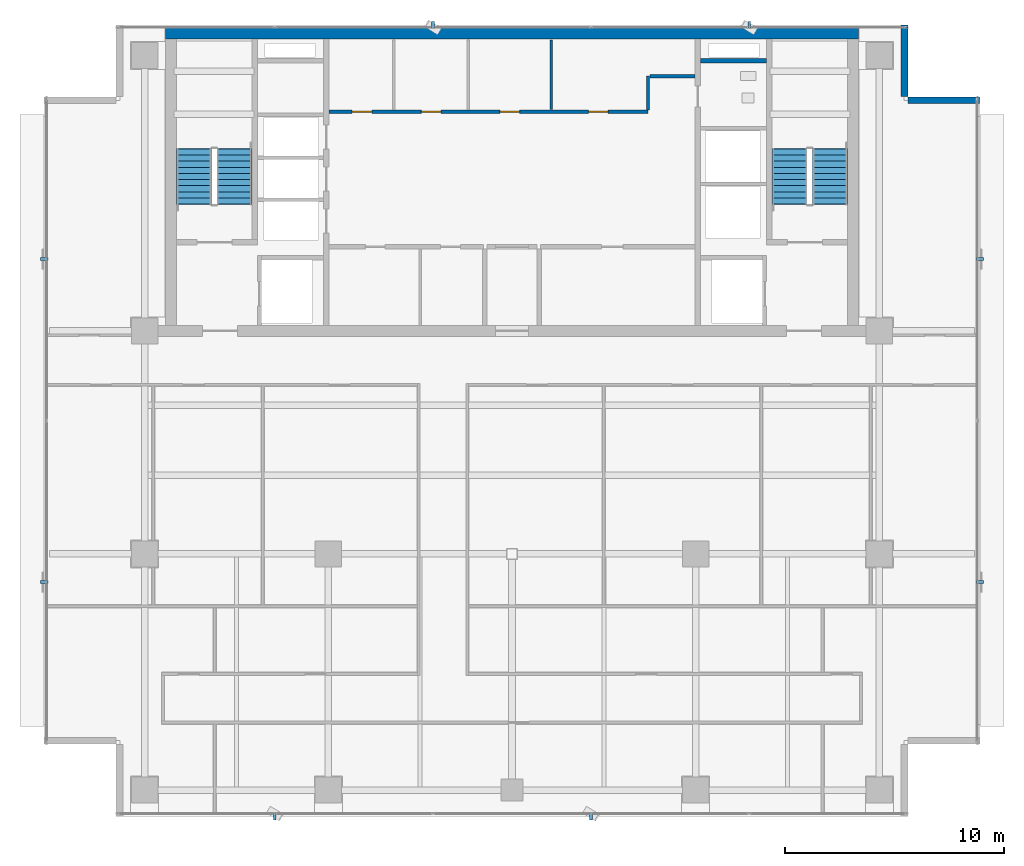
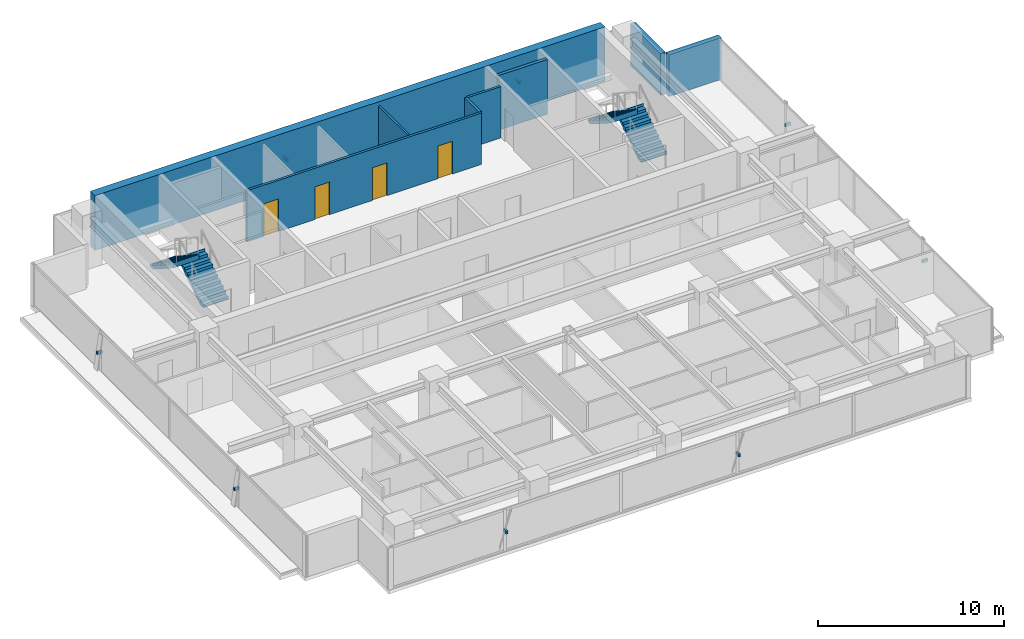
# One storey, part 18 of 22: 8 discrete accessories, 8 walls, 4 doors, 4 stair flights, 4 openings, 2 elements without a shape of their own.
"""IFC4 building model written with IfcOpenShell, lengths in metres."""

from ifc_helpers import new_model, si_unit, direction, frame, frame_2d, origin, origin_2d, place, context, subcontext, project, spatial, polyline, rectangle, outline, extrude, source, transform, mapped, material, layer, layer_set, material_profile, profile_set, type_object, element, fill, aggregate, save


model = new_model("IFC4")

# Units and contexts
model_context = context("Model", 3, precision=1e-05, world=origin(), true_north=direction((0.0, 1.0)))
body_context = subcontext(model_context, "Body", "Model", "MODEL_VIEW")
ifc_project = project(units=[si_unit("LENGTHUNIT", "METRE"), si_unit("AREAUNIT", "SQUARE_METRE"), si_unit("VOLUMEUNIT", "CUBIC_METRE"), si_unit("PLANEANGLEUNIT", "RADIAN"), si_unit("MASSUNIT", "GRAM", prefix="KILO")], contexts=[model_context])

# Site, building, storey
site_placement = place(None, origin())
site = spatial("IfcSite", under=ifc_project, at=site_placement, CompositionType="ELEMENT")
building_placement = place(site_placement, origin())
building = spatial("IfcBuilding", under=site, at=building_placement, Name="Sumidabori Civic Tower", CompositionType="ELEMENT")
storey_placement = place(building_placement, frame((0.0, 0.0, 272.0)))
storey = spatial("IfcBuildingStorey", under=building, at=storey_placement, Name="L71", CompositionType="ELEMENT", Elevation=272.0)

# Walls
ifc_material_1 = material(Name="Concrete C50/60", Category="concrete")
ifc_layer_1 = layer(ifc_material_1, 0.199951171875, Name="Concrete C50/60")
ifc_layer_set_1 = layer_set([ifc_layer_1], Name="Concrete C50/60")
wall_type_1 = type_object("IfcWallType", Name="WL-SHAFT-200", PredefinedType="SHEAR", material=ifc_layer_set_1)
shared_shape_1 = source(origin(), body_context, "Body", "SweptSolid", [
    extrude(rectangle(XDim=3.02001953125, YDim=0.199951171875, at=frame_2d((1.510009765625, 0.0))), origin(), (0.0, 0.0, 1.0), 3.60009765625),
])
wall_1_placement = place(storey_placement, frame((8.625, 22.550048828125, 0.0), z_axis=(0.0, 0.0, 1.0), x_axis=(1.0, 0.0, 0.0)))
element("IfcWall", 1, at=wall_1_placement, inside=storey, type_object=wall_type_1, Name="Core Shear Wall L71 RIS2-S", PredefinedType="SHEAR", context=body_context, shape_type="MappedRepresentation", body=[
    mapped(shared_shape_1, transform((0.0, 0.0, 0.0), x_axis=(1.0, 0.0, 0.0), y_axis=(0.0, 1.0, 0.0), z_axis=(0.0, 0.0, 1.0), scale=1.0)),
])
ifc_layer_2 = layer(ifc_material_1, 0.5, Name="Concrete C50/60")
ifc_layer_set_2 = layer_set([ifc_layer_2], Name="Concrete C50/60")
wall_type_2 = type_object("IfcWallType", Name="WL-CORE-500", PredefinedType="SHEAR", material=ifc_layer_set_2)
shared_shape_2 = source(origin(), body_context, "Body", "SweptSolid", [
    extrude(rectangle(XDim=31.7001953125, YDim=0.5, at=frame_2d((15.85009765625, 0.0))), origin(), (0.0, 0.0, 1.0), 3.60009765625),
])
wall_2_placement = place(storey_placement, frame((-15.85009765625, 23.800048828125, 0.0), z_axis=(0.0, 0.0, 1.0), x_axis=(1.0, 0.0, 0.0)))
element("IfcWall", 2, at=wall_2_placement, inside=storey, type_object=wall_type_2, Name="Core Shear Wall L71 N", PredefinedType="SHEAR", context=body_context, shape_type="MappedRepresentation", body=[
    mapped(shared_shape_2, transform((0.0, 0.0, 0.0), x_axis=(1.0, 0.0, 0.0), y_axis=(0.0, 1.0, 0.0), z_axis=(0.0, 0.0, 1.0), scale=1.0)),
])
ifc_material_2 = material(Name="Precast concrete C40/50", Category="concrete")
ifc_layer_3 = layer(ifc_material_2, 0.300048828125, Name="Precast concrete C40/50")
ifc_layer_set_3 = layer_set([ifc_layer_3], Name="Precast concrete C40/50")
wall_type_3 = type_object("IfcWallType", Name="WL-EXT-POD300", PredefinedType="STANDARD", material=ifc_layer_set_3)
shared_shape_3 = source(origin(), body_context, "Body", "SweptSolid", [
    extrude(rectangle(XDim=3.260009765625, YDim=0.300048828125, at=frame_2d((1.6298828125, 0.0))), origin(), (0.0, 0.0, 1.0), 2.75),
])
wall_3_placement = place(storey_placement, frame((17.949951171875, 20.919921875, 0.0), z_axis=(0.0, 0.0, 1.0), x_axis=(0.0, 1.0, 0.0)))
element("IfcWall", 3, at=wall_3_placement, inside=storey, type_object=wall_type_3, Name="Notched Corner Spandrel Band L71-06", PredefinedType="STANDARD", context=body_context, shape_type="MappedRepresentation", body=[
    mapped(shared_shape_3, transform((0.0, 0.0, 0.0), x_axis=(1.0, 0.0, 0.0), y_axis=(0.0, 1.0, 0.0), z_axis=(0.0, 0.0, 1.0), scale=1.0)),
])
shared_shape_4 = source(origin(), body_context, "Body", "SweptSolid", [
    extrude(rectangle(XDim=3.259765625, YDim=0.300048828125, at=frame_2d((1.6298828125, 0.0))), origin(), (0.0, 0.0, 1.0), 2.75),
])
wall_4_placement = place(storey_placement, frame((21.3798828125, 20.75, 0.0), z_axis=(0.0, 0.0, 1.0), x_axis=(-1.0, 0.0, 0.0)))
element("IfcWall", 4, at=wall_4_placement, inside=storey, type_object=wall_type_3, Name="Notched Corner Spandrel Band L71-05", PredefinedType="STANDARD", context=body_context, shape_type="MappedRepresentation", body=[
    mapped(shared_shape_4, transform((0.0, 0.0, 0.0), x_axis=(1.0, 0.0, 0.0), y_axis=(0.0, 1.0, 0.0), z_axis=(0.0, 0.0, 1.0), scale=1.0)),
])

# Wall, openings, doors
ifc_material_3 = material(Name="Gypsum Plasterboard Acoustic Partition")
ifc_layer_4 = layer(ifc_material_3, 0.14990234375, Name="Gypsum Plasterboard Acoustic Partition")
ifc_layer_set_4 = layer_set([ifc_layer_4], Name="Gypsum Plasterboard Acoustic Partition")
wall_type_4 = type_object("IfcWallType", Name="WL-PART-150", PredefinedType="PARTITIONING", material=ifc_layer_set_4)
shared_shape_5 = source(origin(), body_context, "Body", "SweptSolid", [
    extrude(rectangle(XDim=14.590087890625, YDim=0.14990234375, at=frame_2d((7.294921875, 0.0))), origin(), (0.0, 0.0, 1.0), 3.3701171875),
])
wall_5_placement = place(storey_placement, frame((-8.3701171875, 20.219970703125, 0.0), z_axis=(0.0, 0.0, 1.0), x_axis=(1.0, 0.0, 0.0)))
wall_5 = element("IfcWall", 5, at=wall_5_placement, inside=storey, type_object=wall_type_4, Name="Interior Partition WL:L71:CBAND-M", PredefinedType="PARTITIONING", context=body_context, shape_type="MappedRepresentation", body=[
    mapped(shared_shape_5, transform((0.0, 0.0, 0.0), x_axis=(1.0, 0.0, 0.0), y_axis=(0.0, 1.0, 0.0), z_axis=(0.0, 0.0, 1.0), scale=1.0)),
])
opening_1_placement = place(wall_5_placement, frame((1.06005859375, 0.0, 0.0)))
opening_1 = element("IfcOpeningElement", 6, at=opening_1_placement, cuts=wall_5, Name="Opening DR-1", PredefinedType="OPENING", context=body_context, shape_type="SweptSolid", body=[
    extrude(rectangle(XDim=0.89990234375, YDim=2.14990234375, at=frame_2d((0.449951171875, 1.074951171875))), frame((0.0, 0.0869140625, 0.0), z_axis=(0.0, -1.0, 0.0), x_axis=(1.0, 0.0, 0.0)), (0.0, 0.0, 1.0), 0.173828125),
])
opening_2_placement = place(wall_5_placement, frame((4.219970703125, 0.0, 0.0)))
opening_2 = element("IfcOpeningElement", 7, at=opening_2_placement, cuts=wall_5, Name="Opening DR-1", PredefinedType="OPENING", context=body_context, shape_type="SweptSolid", body=[
    extrude(rectangle(XDim=0.89990234375, YDim=2.14990234375, at=frame_2d((0.449951171875, 1.074951171875))), frame((0.0, 0.0869140625, 0.0), z_axis=(0.0, -1.0, 0.0), x_axis=(1.0, 0.0, 0.0)), (0.0, 0.0, 1.0), 0.173828125),
])
opening_3_placement = place(wall_5_placement, frame((7.820068359375, 0.0, 0.0)))
opening_3 = element("IfcOpeningElement", 8, at=opening_3_placement, cuts=wall_5, Name="Opening DR-1", PredefinedType="OPENING", context=body_context, shape_type="SweptSolid", body=[
    extrude(rectangle(XDim=0.89990234375, YDim=2.14990234375, at=frame_2d((0.449951171875, 1.074951171875))), frame((0.0, 0.0869140625, 0.0), z_axis=(0.0, -1.0, 0.0), x_axis=(1.0, 0.0, 0.0)), (0.0, 0.0, 1.0), 0.173828125),
])
opening_4_placement = place(wall_5_placement, frame((11.8701171875, 0.0, 0.0)))
opening_4 = element("IfcOpeningElement", 9, at=opening_4_placement, cuts=wall_5, Name="Opening DR-1", PredefinedType="OPENING", context=body_context, shape_type="SweptSolid", body=[
    extrude(rectangle(XDim=0.89990234375, YDim=2.14990234375, at=frame_2d((0.449951171875, 1.074951171875))), frame((0.0, 0.0869140625, 0.0), z_axis=(0.0, -1.0, 0.0), x_axis=(1.0, 0.0, 0.0)), (0.0, 0.0, 1.0), 0.173828125),
])
ifc_material_4 = material(Name="Japanese Hinoki Timber", Category="wood")
door_type = type_object("IfcDoorType", Name="DR-INT-900", OperationType="NOTDEFINED", PredefinedType="DOOR", material=ifc_material_4)
shared_shape_6 = source(origin(), body_context, "Body", "SweptSolid", [
    extrude(rectangle(XDim=0.89990234375, YDim=2.14990234375, at=frame_2d((0.449951171875, 1.074951171875))), frame((0.0, 0.02490234375, 0.0), z_axis=(0.0, -1.0, 0.0), x_axis=(1.0, 0.0, 0.0)), (0.0, 0.0, 1.0), 0.050048828125),
])
door_1_placement = place(opening_1_placement, origin())
door_1 = element("IfcDoor", 10, at=door_1_placement, inside=storey, type_object=door_type, Name="Door DR:L71:CB-1", OperationType="SINGLE_SWING_LEFT", OverallHeight=2.14990234375, OverallWidth=0.89990234375, PredefinedType="DOOR", context=body_context, shape_type="MappedRepresentation", body=[
    mapped(shared_shape_6, transform((0.0, 0.0, 0.0), x_axis=(1.0, 0.0, 0.0), y_axis=(0.0, 1.0, 0.0), z_axis=(0.0, 0.0, 1.0), scale=1.0)),
])
fill(opening_1, door_1)
door_2_placement = place(opening_2_placement, origin())
door_2 = element("IfcDoor", 11, at=door_2_placement, inside=storey, type_object=door_type, Name="Door DR:L71:CB-2", OperationType="SINGLE_SWING_RIGHT", OverallHeight=2.14990234375, OverallWidth=0.89990234375, PredefinedType="DOOR", context=body_context, shape_type="MappedRepresentation", body=[
    mapped(shared_shape_6, transform((0.0, 0.0, 0.0), x_axis=(1.0, 0.0, 0.0), y_axis=(0.0, 1.0, 0.0), z_axis=(0.0, 0.0, 1.0), scale=1.0)),
])
fill(opening_2, door_2)
door_3_placement = place(opening_3_placement, origin())
door_3 = element("IfcDoor", 12, at=door_3_placement, inside=storey, type_object=door_type, Name="Door DR:L71:CB-3", OperationType="SINGLE_SWING_LEFT", OverallHeight=2.14990234375, OverallWidth=0.89990234375, PredefinedType="DOOR", context=body_context, shape_type="MappedRepresentation", body=[
    mapped(shared_shape_6, transform((0.0, 0.0, 0.0), x_axis=(1.0, 0.0, 0.0), y_axis=(0.0, 1.0, 0.0), z_axis=(0.0, 0.0, 1.0), scale=1.0)),
])
fill(opening_3, door_3)
door_4_placement = place(opening_4_placement, origin())
door_4 = element("IfcDoor", 13, at=door_4_placement, inside=storey, type_object=door_type, Name="Door DR:L71:CB-4", OperationType="SINGLE_SWING_RIGHT", OverallHeight=2.14990234375, OverallWidth=0.89990234375, PredefinedType="DOOR", context=body_context, shape_type="MappedRepresentation", body=[
    mapped(shared_shape_6, transform((0.0, 0.0, 0.0), x_axis=(1.0, 0.0, 0.0), y_axis=(0.0, 1.0, 0.0), z_axis=(0.0, 0.0, 1.0), scale=1.0)),
])
fill(opening_4, door_4)

# Walls
shared_shape_7 = source(origin(), body_context, "Body", "SweptSolid", [
    extrude(rectangle(XDim=1.550048828125, YDim=0.14990234375, at=frame_2d((0.77490234375, 0.0))), origin(), (0.0, 0.0, 1.0), 3.3701171875),
])
wall_6_placement = place(storey_placement, frame((6.219970703125, 20.300048828125, 0.0), z_axis=(0.0, 0.0, 1.0), x_axis=(0.0, 1.0, 0.0)))
element("IfcWall", 14, at=wall_6_placement, inside=storey, type_object=wall_type_4, Name="Interior Partition WL:L71:CBAND-ME1", PredefinedType="PARTITIONING", context=body_context, shape_type="MappedRepresentation", body=[
    mapped(shared_shape_7, transform((0.0, 0.0, 0.0), x_axis=(1.0, 0.0, 0.0), y_axis=(0.0, 1.0, 0.0), z_axis=(0.0, 0.0, 1.0), scale=1.0)),
])
shared_shape_8 = source(origin(), body_context, "Body", "SweptSolid", [
    extrude(rectangle(XDim=2.070068359375, YDim=0.14990234375, at=frame_2d((1.03515625, 0.0))), origin(), (0.0, 0.0, 1.0), 3.3701171875),
])
wall_7_placement = place(storey_placement, frame((6.300048828125, 21.85009765625, 0.0), z_axis=(0.0, 0.0, 1.0), x_axis=(1.0, 0.0, 0.0)))
element("IfcWall", 15, at=wall_7_placement, inside=storey, type_object=wall_type_4, Name="Interior Partition WL:L71:CBAND-ME2", PredefinedType="PARTITIONING", context=body_context, shape_type="MappedRepresentation", body=[
    mapped(shared_shape_8, transform((0.0, 0.0, 0.0), x_axis=(1.0, 0.0, 0.0), y_axis=(0.0, 1.0, 0.0), z_axis=(0.0, 0.0, 1.0), scale=1.0)),
])
ifc_layer_5 = layer(ifc_material_3, 0.1201171875, Name="Gypsum Plasterboard Acoustic Partition")
ifc_layer_set_5 = layer_set([ifc_layer_5], Name="Gypsum Plasterboard Acoustic Partition")
wall_type_5 = type_object("IfcWallType", Name="WL-PART-120", PredefinedType="PARTITIONING", material=ifc_layer_set_5)
shared_shape_9 = source(origin(), body_context, "Body", "SweptSolid", [
    extrude(rectangle(XDim=3.18994140625, YDim=0.1201171875, at=frame_2d((1.594970703125, 0.0))), origin(), (0.0, 0.0, 1.0), 3.3701171875),
])
wall_8_placement = place(storey_placement, frame((1.800048828125, 20.320068359375, 0.0), z_axis=(0.0, 0.0, 1.0), x_axis=(0.0, 1.0, 0.0)))
element("IfcWall", 16, at=wall_8_placement, inside=storey, type_object=wall_type_5, Name="Interior Partition WL:L71:LV8-S3", PredefinedType="PARTITIONING", context=body_context, shape_type="MappedRepresentation", body=[
    mapped(shared_shape_9, transform((0.0, 0.0, 0.0), x_axis=(1.0, 0.0, 0.0), y_axis=(0.0, 1.0, 0.0), z_axis=(0.0, 0.0, 1.0), scale=1.0)),
])

# Stair, stair flights
ifc_material_5 = material(Name="Concrete C40/50", Category="concrete")
stair_type = type_object("IfcStairType", Name="ST-CORE-1600", PredefinedType="HALF_TURN_STAIR", material=ifc_material_5)
stair_1_placement = place(storey_placement, origin())
stair_1 = element("IfcStair", 17, at=stair_1_placement, inside=storey, type_object=stair_type, Name="L71 ST-1", PredefinedType="HALF_TURN_STAIR")
stair_flight_type = type_object("IfcStairFlightType", Name="SF-CORE-1600", PredefinedType="STRAIGHT", material=ifc_material_5)
shared_shape_10 = source(origin(), body_context, "Body", "SweptSolid", [
    extrude(outline(polyline([(-0.02490234375, 0.0), (-0.02490234375, 0.0400390625), (0.0, 0.0400390625), (0.0, 0.179931640625), (0.280029296875, 0.179931640625), (0.280029296875, 0.360107421875), (0.56005859375, 0.360107421875), (0.56005859375, 0.5400390625), (0.840087890625, 0.5400390625), (0.840087890625, 0.719970703125), (1.1201171875, 0.719970703125), (1.1201171875, 0.89990234375), (1.39990234375, 0.89990234375), (1.39990234375, 1.080078125), (1.679931640625, 1.080078125), (1.679931640625, 1.260009765625), (1.9599609375, 1.260009765625), (1.9599609375, 1.43994140625), (2.239990234375, 1.43994140625), (2.239990234375, 1.6201171875), (2.52001953125, 1.6201171875), (2.52001953125, 1.800048828125), (2.544921875, 1.800048828125), (2.544921875, 1.650146484375), (2.52001953125, 1.44189453125), (0.277099609375, 0.0), (-0.02490234375, 0.0)])), frame((0.0, 0.800048828125, 0.0), z_axis=(0.0, -1.0, 0.0), x_axis=(1.0, 0.0, 0.0)), (0.0, 0.0, 1.0), 1.60009765625),
])
stair_flight_1_placement = place(storey_placement, frame((-12.699951171875, 16.0, 0.0), z_axis=(0.0, 0.0, 1.0), x_axis=(0.0, 1.0, 0.0)))
stair_flight_1 = element("IfcStairFlight", 18, at=stair_flight_1_placement, type_object=stair_flight_type, Name="ST-1 flight 1", NumberOfRisers=10, NumberOfTreads=9, PredefinedType="STRAIGHT", RiserHeight=0.18, TreadLength=0.28, context=body_context, shape_type="MappedRepresentation", body=[
    mapped(shared_shape_10, transform((0.0, 0.0, 0.0), x_axis=(1.0, 0.0, 0.0), y_axis=(0.0, 1.0, 0.0), z_axis=(0.0, 0.0, 1.0), scale=1.0)),
])
stair_flight_2_placement = place(storey_placement, frame((-14.5400390625, 18.52001953125, 1.800048828125), z_axis=(0.0, 0.0, 1.0), x_axis=(0.0, -1.0, 0.0)))
stair_flight_2 = element("IfcStairFlight", 19, at=stair_flight_2_placement, type_object=stair_flight_type, Name="ST-1 flight 2", NumberOfRisers=10, NumberOfTreads=9, PredefinedType="STRAIGHT", RiserHeight=0.18, TreadLength=0.28, context=body_context, shape_type="MappedRepresentation", body=[
    mapped(shared_shape_10, transform((0.0, 0.0, 0.0), x_axis=(1.0, 0.0, 0.0), y_axis=(0.0, 1.0, 0.0), z_axis=(0.0, 0.0, 1.0), scale=1.0)),
])
aggregate(stair_1, [stair_flight_1, stair_flight_2])

stair_2_placement = place(storey_placement, origin())
stair_2 = element("IfcStair", 20, at=stair_2_placement, inside=storey, type_object=stair_type, Name="L71 ST-2", PredefinedType="HALF_TURN_STAIR")
stair_flight_3_placement = place(storey_placement, frame((14.5400390625, 16.0, 0.0), z_axis=(0.0, 0.0, 1.0), x_axis=(0.0, 1.0, 0.0)))
stair_flight_3 = element("IfcStairFlight", 21, at=stair_flight_3_placement, type_object=stair_flight_type, Name="ST-2 flight 1", NumberOfRisers=10, NumberOfTreads=9, PredefinedType="STRAIGHT", RiserHeight=0.18, TreadLength=0.28, context=body_context, shape_type="MappedRepresentation", body=[
    mapped(shared_shape_10, transform((0.0, 0.0, 0.0), x_axis=(1.0, 0.0, 0.0), y_axis=(0.0, 1.0, 0.0), z_axis=(0.0, 0.0, 1.0), scale=1.0)),
])
stair_flight_4_placement = place(storey_placement, frame((12.699951171875, 18.52001953125, 1.800048828125), z_axis=(0.0, 0.0, 1.0), x_axis=(0.0, -1.0, 0.0)))
stair_flight_4 = element("IfcStairFlight", 22, at=stair_flight_4_placement, type_object=stair_flight_type, Name="ST-2 flight 2", NumberOfRisers=10, NumberOfTreads=9, PredefinedType="STRAIGHT", RiserHeight=0.18, TreadLength=0.28, context=body_context, shape_type="MappedRepresentation", body=[
    mapped(shared_shape_10, transform((0.0, 0.0, 0.0), x_axis=(1.0, 0.0, 0.0), y_axis=(0.0, 1.0, 0.0), z_axis=(0.0, 0.0, 1.0), scale=1.0)),
])
aggregate(stair_2, [stair_flight_3, stair_flight_4])

# Discrete accessories
ifc_material_6 = material(Name="Stainless Steel Hairline Finish", Category="steel")
ifc_material_profile = material_profile(ifc_material_6, rectangle(XDim=0.1201171875, YDim=0.179931640625, at=origin_2d()), Name="STEEL BRACKET 180x120")
ifc_profile_set = profile_set([ifc_material_profile], Name="Stainless Steel Hairline Finish")
discrete_accessory_type = type_object("IfcDiscreteAccessoryType", Name="AC-BRK-180", PredefinedType="BRACKET", material=ifc_profile_set)
shared_shape_11 = source(origin(), body_context, "Body", "SweptSolid", [
    extrude(rectangle(XDim=0.1201171875, YDim=0.179931640625, at=origin_2d()), origin(), (0.0, 0.0, 1.0), 0.329833984375),
])
for number, where, z_axis, x_axis, name in (
    (23, (-10.842041015625, -11.830078125, 1.364990234375), (0.0, -1.0, 0.0), (1.0, 0.0, 0.0), "Bronze Fin Fixing Bracket L71-01"),
    (24, (3.614013671875, -11.830078125, 1.364990234375), (0.0, -1.0, 0.0), (1.0, 0.0, 0.0), "Bronze Fin Fixing Bracket L71-03"),
):
    element("IfcDiscreteAccessory", number, at=place(storey_placement, frame(where, z_axis=z_axis, x_axis=x_axis)), inside=storey, type_object=discrete_accessory_type, Name=name, PredefinedType="BRACKET", context=body_context, shape_type="MappedRepresentation", body=[
        mapped(shared_shape_11, transform((0.0, 0.0, 0.0), x_axis=(1.0, 0.0, 0.0), y_axis=(0.0, 1.0, 0.0), z_axis=(0.0, 0.0, 1.0), scale=1.0)),
    ])
shared_shape_12 = source(origin(), body_context, "Body", "SweptSolid", [
    extrude(rectangle(XDim=0.1201171875, YDim=0.179931640625, at=origin_2d()), origin(), (0.0, 0.0, 1.0), 0.330078125),
])
for number, where, z_axis, x_axis, name in (
    (25, (21.22998046875, -1.284912109375, 1.364990234375), (1.0, 0.0, 0.0), (0.0, 1.0, 0.0), "Bronze Fin Fixing Bracket L71-01"),
    (26, (21.22998046875, 13.485107421875, 1.364990234375), (1.0, 0.0, 0.0), (0.0, 1.0, 0.0), "Bronze Fin Fixing Bracket L71-03"),
    (27, (10.842041015625, 24.030029296875, 1.364990234375), (0.0, 1.0, 0.0), (-1.0, 0.0, 0.0), "Bronze Fin Fixing Bracket L71-01"),
    (28, (-3.614013671875, 24.030029296875, 1.364990234375), (0.0, 1.0, 0.0), (-1.0, 0.0, 0.0), "Bronze Fin Fixing Bracket L71-03"),
    (29, (-21.22998046875, 13.485107421875, 1.364990234375), (-1.0, 0.0, 0.0), (0.0, -1.0, 0.0), "Bronze Fin Fixing Bracket L71-01"),
    (30, (-21.22998046875, -1.284912109375, 1.364990234375), (-1.0, 0.0, 0.0), (0.0, -1.0, 0.0), "Bronze Fin Fixing Bracket L71-03"),
):
    element("IfcDiscreteAccessory", number, at=place(storey_placement, frame(where, z_axis=z_axis, x_axis=x_axis)), inside=storey, type_object=discrete_accessory_type, Name=name, PredefinedType="BRACKET", context=body_context, shape_type="MappedRepresentation", body=[
        mapped(shared_shape_12, transform((0.0, 0.0, 0.0), x_axis=(1.0, 0.0, 0.0), y_axis=(0.0, 1.0, 0.0), z_axis=(0.0, 0.0, 1.0), scale=1.0)),
    ])

save(model, "model.ifc")
